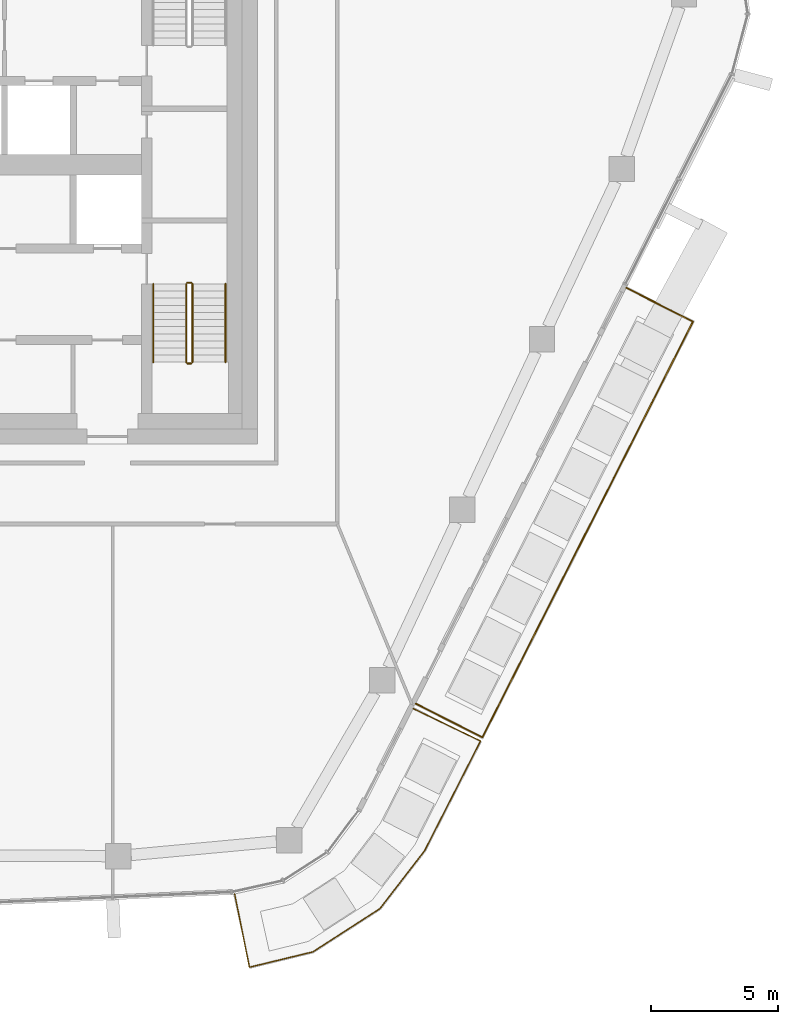
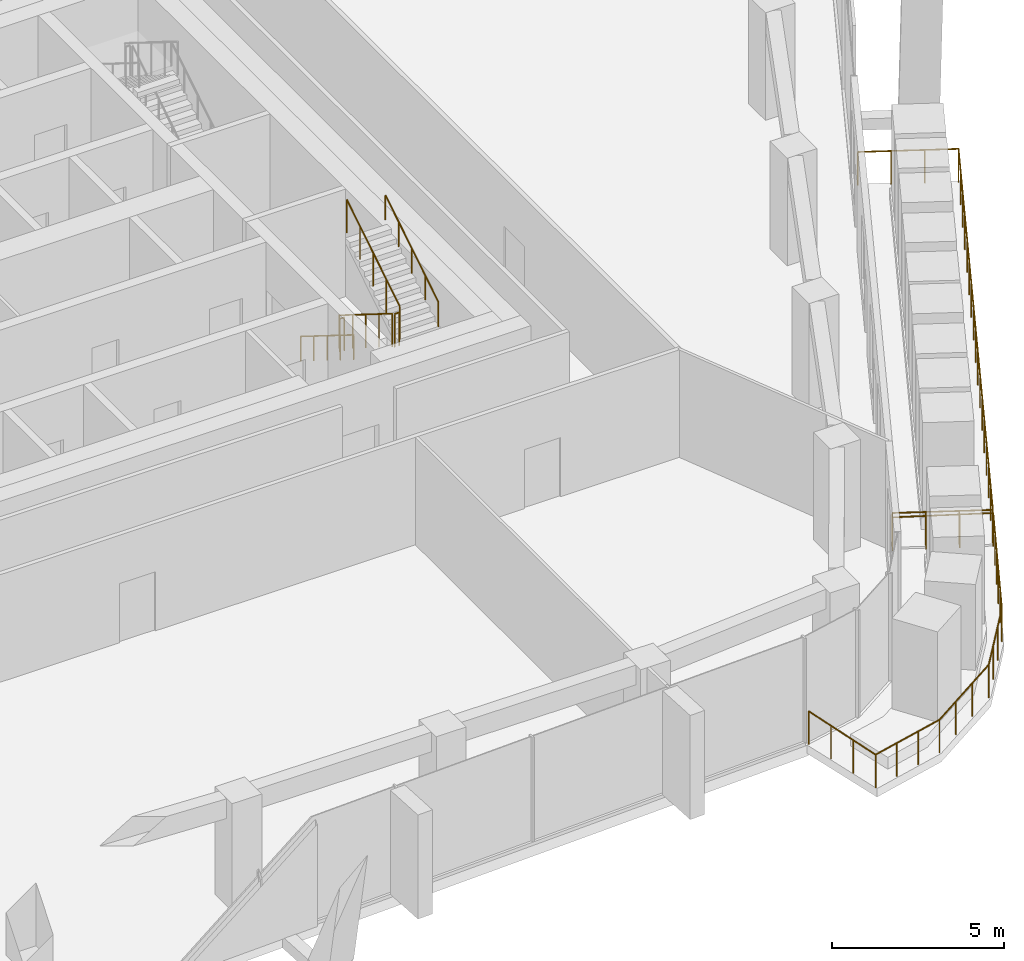
# One storey, part 19 of 23: 8 railings.
"""IFC4 building model written with IfcOpenShell, lengths in metres."""

from ifc_helpers import new_model, si_unit, direction, frame, origin, origin_2d, place, context, subcontext, project, spatial, circle, extrude, material, type_object, element, save


model = new_model("IFC4")

# Units and contexts
model_context = context("Model", 3, precision=1e-05, world=origin(), true_north=direction((0.0, 1.0)))
body_context = subcontext(model_context, "Body", "Model", "MODEL_VIEW")
ifc_project = project(units=[si_unit("LENGTHUNIT", "METRE"), si_unit("AREAUNIT", "SQUARE_METRE"), si_unit("VOLUMEUNIT", "CUBIC_METRE"), si_unit("PLANEANGLEUNIT", "RADIAN"), si_unit("MASSUNIT", "GRAM", prefix="KILO")], contexts=[model_context])

# Site, building, storey
site_placement = place(None, origin())
site = spatial("IfcSite", under=ifc_project, at=site_placement, CompositionType="ELEMENT")
building_placement = place(site_placement, origin())
building = spatial("IfcBuilding", under=site, at=building_placement, Name="Dongbaek Canopy Tower", CompositionType="ELEMENT")
storey_placement = place(building_placement, frame((0.0, 0.0, 327.800048828125)))
storey = spatial("IfcBuildingStorey", under=building, at=storey_placement, Name="L70", CompositionType="ELEMENT", Elevation=327.800048828125)

# Railings
ifc_material_1 = material(Name="Stainless steel", Category="steel")
railing_type_1 = type_object("IfcRailingType", Name="Balcony balustrade 1200", PredefinedType="BALUSTRADE", material=ifc_material_1)
railing_1_placement = place(storey_placement, frame((20.2412109375, -21.222900390625, 0.0)))
element("IfcRailing", 1, at=railing_1_placement, inside=storey, type_object=railing_type_1, Name="Balcony guard L70 4", PredefinedType="BALUSTRADE", context=body_context, shape_type="SweptSolid", body=[
    extrude(circle(Radius=0.02392578125, at=origin_2d()), frame((0.0, 0.0, 1.17578125), z_axis=(0.892056309914, -0.451924263503, 0.0), x_axis=(0.451924263503, 0.892056309914, 0.0)), (0.0, 0.0, 1.0), 2.93994140625),
    extrude(circle(Radius=0.02392578125, at=origin_2d()), frame((2.62255859375, -1.32861328125, 1.17578125), z_axis=(0.451975662434, 0.892030268863, 0.0), x_axis=(-0.892030268863, 0.451975662434, 0.0)), (0.0, 0.0, 1.0), 18.349853515625),
    extrude(circle(Radius=0.02392578125, at=origin_2d()), frame((10.916259765625, 15.0400390625, 1.17578125), z_axis=(-0.892022830295, 0.451990343074, 0.0), x_axis=(-0.451990343074, -0.892022830295, 0.0)), (0.0, 0.0, 1.0), 2.93994140625),
    extrude(circle(Radius=0.02099609375, at=origin_2d()), origin(), (0.0, 0.0, 1.0), 1.15185546875),
    extrude(circle(Radius=0.02099609375, at=origin_2d()), frame((0.874267578125, -0.44287109375, 0.0)), (0.0, 0.0, 1.0), 1.15185546875),
    extrude(circle(Radius=0.02099609375, at=origin_2d()), frame((1.748291015625, -0.8857421875, 0.0)), (0.0, 0.0, 1.0), 1.15185546875),
    extrude(circle(Radius=0.02099609375, at=origin_2d()), frame((2.62255859375, -1.32861328125, 0.0)), (0.0, 0.0, 1.0), 1.15185546875),
    extrude(circle(Radius=0.02099609375, at=origin_2d()), frame((3.140869140625, -0.3056640625, 0.0)), (0.0, 0.0, 1.0), 1.15185546875),
    extrude(circle(Radius=0.02099609375, at=origin_2d()), frame((3.6591796875, 0.717529296875, 0.0)), (0.0, 0.0, 1.0), 1.15185546875),
    extrude(circle(Radius=0.02099609375, at=origin_2d()), frame((4.177734375, 1.740478515625, 0.0)), (0.0, 0.0, 1.0), 1.15185546875),
    extrude(circle(Radius=0.02099609375, at=origin_2d()), frame((4.696044921875, 2.763671875, 0.0)), (0.0, 0.0, 1.0), 1.15185546875),
    extrude(circle(Radius=0.02099609375, at=origin_2d()), frame((5.21435546875, 3.78662109375, 0.0)), (0.0, 0.0, 1.0), 1.15185546875),
    extrude(circle(Radius=0.02099609375, at=origin_2d()), frame((5.732666015625, 4.8095703125, 0.0)), (0.0, 0.0, 1.0), 1.15185546875),
    extrude(circle(Radius=0.02099609375, at=origin_2d()), frame((6.2509765625, 5.832763671875, 0.0)), (0.0, 0.0, 1.0), 1.15185546875),
    extrude(circle(Radius=0.02099609375, at=origin_2d()), frame((6.76953125, 6.855712890625, 0.0)), (0.0, 0.0, 1.0), 1.15185546875),
    extrude(circle(Radius=0.02099609375, at=origin_2d()), frame((7.287841796875, 7.878662109375, 0.0)), (0.0, 0.0, 1.0), 1.15185546875),
    extrude(circle(Radius=0.02099609375, at=origin_2d()), frame((7.80615234375, 8.90185546875, 0.0)), (0.0, 0.0, 1.0), 1.15185546875),
    extrude(circle(Radius=0.02099609375, at=origin_2d()), frame((8.324462890625, 9.9248046875, 0.0)), (0.0, 0.0, 1.0), 1.15185546875),
    extrude(circle(Radius=0.02099609375, at=origin_2d()), frame((8.8427734375, 10.94775390625, 0.0)), (0.0, 0.0, 1.0), 1.15185546875),
    extrude(circle(Radius=0.02099609375, at=origin_2d()), frame((9.361083984375, 11.970947265625, 0.0)), (0.0, 0.0, 1.0), 1.15185546875),
    extrude(circle(Radius=0.02099609375, at=origin_2d()), frame((9.879638671875, 12.993896484375, 0.0)), (0.0, 0.0, 1.0), 1.15185546875),
    extrude(circle(Radius=0.02099609375, at=origin_2d()), frame((10.39794921875, 14.01708984375, 0.0)), (0.0, 0.0, 1.0), 1.15185546875),
    extrude(circle(Radius=0.02099609375, at=origin_2d()), frame((10.916259765625, 15.0400390625, 0.0)), (0.0, 0.0, 1.0), 1.15185546875),
    extrude(circle(Radius=0.02099609375, at=origin_2d()), frame((10.0419921875, 15.48291015625, 0.0)), (0.0, 0.0, 1.0), 1.15185546875),
    extrude(circle(Radius=0.02099609375, at=origin_2d()), frame((9.16796875, 15.926025390625, 0.0)), (0.0, 0.0, 1.0), 1.15185546875),
    extrude(circle(Radius=0.02099609375, at=origin_2d()), frame((8.293701171875, 16.368896484375, 0.0)), (0.0, 0.0, 1.0), 1.15185546875),
])
railing_2_placement = place(storey_placement, frame((13.10986328125, -28.720703125, 0.0)))
element("IfcRailing", 2, at=railing_2_placement, inside=storey, type_object=railing_type_1, Name="Balcony guard L70 7", PredefinedType="BALUSTRADE", context=body_context, shape_type="SweptSolid", body=[
    extrude(circle(Radius=0.02392578125, at=origin_2d()), frame((0.0, 0.0, 1.17578125), z_axis=(0.198175305389, -0.980166592133, 0.0), x_axis=(0.980166592133, 0.198175305389, 0.0)), (0.0, 0.0, 1.0), 2.940673828125),
    extrude(circle(Radius=0.02392578125, at=origin_2d()), frame((0.582763671875, -2.88232421875, 1.17578125), z_axis=(0.971870520155, 0.23551580001, 0.0), x_axis=(-0.23551580001, 0.971870520155, 0.0)), (0.0, 0.0, 1.0), 2.57177734375),
    extrude(circle(Radius=0.02392578125, at=origin_2d()), frame((3.082275390625, -2.276611328125, 1.17578125), z_axis=(0.840464714491, 0.541866278426, 0.0), x_axis=(-0.541866278426, 0.840464714491, 0.0)), (0.0, 0.0, 1.0), 3.13720703125),
    extrude(circle(Radius=0.02392578125, at=origin_2d()), frame((5.718994140625, -0.57666015625, 1.17578125), z_axis=(0.610914271803, 0.791696755398, 0.0), x_axis=(-0.791696755398, 0.610914271803, 0.0)), (0.0, 0.0, 1.0), 2.880615234375),
    extrude(circle(Radius=0.02392578125, at=origin_2d()), frame((7.478759765625, 1.703857421875, 1.17578125), z_axis=(0.454064484216, 0.890968823345, 0.0), x_axis=(-0.890968823345, 0.454064484216, 0.0)), (0.0, 0.0, 1.0), 4.8515625),
    extrude(circle(Radius=0.02392578125, at=origin_2d()), frame((9.681640625, 6.0263671875, 1.17578125), z_axis=(-0.901083385577, 0.433645860395, 0.0), x_axis=(-0.433645860395, -0.901083385577, 0.0)), (0.0, 0.0, 1.0), 2.9404296875),
    extrude(circle(Radius=0.02099609375, at=origin_2d()), origin(), (0.0, 0.0, 1.0), 1.15185546875),
    extrude(circle(Radius=0.02099609375, at=origin_2d()), frame((0.1943359375, -0.960693359375, 0.0)), (0.0, 0.0, 1.0), 1.15185546875),
    extrude(circle(Radius=0.02099609375, at=origin_2d()), frame((0.388427734375, -1.921630859375, 0.0)), (0.0, 0.0, 1.0), 1.15185546875),
    extrude(circle(Radius=0.02099609375, at=origin_2d()), frame((0.582763671875, -2.88232421875, 0.0)), (0.0, 0.0, 1.0), 1.15185546875),
    extrude(circle(Radius=0.02099609375, at=origin_2d()), frame((1.416015625, -2.680419921875, 0.0)), (0.0, 0.0, 1.0), 1.15185546875),
    extrude(circle(Radius=0.02099609375, at=origin_2d()), frame((2.2490234375, -2.478515625, 0.0)), (0.0, 0.0, 1.0), 1.15185546875),
    extrude(circle(Radius=0.02099609375, at=origin_2d()), frame((3.082275390625, -2.276611328125, 0.0)), (0.0, 0.0, 1.0), 1.15185546875),
    extrude(circle(Radius=0.02099609375, at=origin_2d()), frame((3.961181640625, -1.7099609375, 0.0)), (0.0, 0.0, 1.0), 1.15185546875),
    extrude(circle(Radius=0.02099609375, at=origin_2d()), frame((4.840087890625, -1.143310546875, 0.0)), (0.0, 0.0, 1.0), 1.15185546875),
    extrude(circle(Radius=0.02099609375, at=origin_2d()), frame((5.718994140625, -0.57666015625, 0.0)), (0.0, 0.0, 1.0), 1.15185546875),
    extrude(circle(Radius=0.02099609375, at=origin_2d()), frame((6.3056640625, 0.18359375, 0.0)), (0.0, 0.0, 1.0), 1.15185546875),
    extrude(circle(Radius=0.02099609375, at=origin_2d()), frame((6.89208984375, 0.943603515625, 0.0)), (0.0, 0.0, 1.0), 1.15185546875),
    extrude(circle(Radius=0.02099609375, at=origin_2d()), frame((7.478759765625, 1.703857421875, 0.0)), (0.0, 0.0, 1.0), 1.15185546875),
    extrude(circle(Radius=0.02099609375, at=origin_2d()), frame((7.91943359375, 2.568359375, 0.0)), (0.0, 0.0, 1.0), 1.15185546875),
    extrude(circle(Radius=0.02099609375, at=origin_2d()), frame((8.35986328125, 3.432861328125, 0.0)), (0.0, 0.0, 1.0), 1.15185546875),
    extrude(circle(Radius=0.02099609375, at=origin_2d()), frame((8.800537109375, 4.29736328125, 0.0)), (0.0, 0.0, 1.0), 1.15185546875),
    extrude(circle(Radius=0.02099609375, at=origin_2d()), frame((9.240966796875, 5.161865234375, 0.0)), (0.0, 0.0, 1.0), 1.15185546875),
    extrude(circle(Radius=0.02099609375, at=origin_2d()), frame((9.681640625, 6.0263671875, 0.0)), (0.0, 0.0, 1.0), 1.15185546875),
    extrude(circle(Radius=0.02099609375, at=origin_2d()), frame((8.79833984375, 6.451416015625, 0.0)), (0.0, 0.0, 1.0), 1.15185546875),
    extrude(circle(Radius=0.02099609375, at=origin_2d()), frame((7.915283203125, 6.87646484375, 0.0)), (0.0, 0.0, 1.0), 1.15185546875),
    extrude(circle(Radius=0.02099609375, at=origin_2d()), frame((7.031982421875, 7.301513671875, 0.0)), (0.0, 0.0, 1.0), 1.15185546875),
])
ifc_material_2 = material(Name="Stainless steel tube and balusters", Category="steel")
railing_type_2 = type_object("IfcRailingType", Name="Stair guard 1200", PredefinedType="GUARDRAIL", material=ifc_material_2)
railing_3_placement = place(storey_placement, frame((11.199951171875, -4.699951171875, 0.175048828125)))
element("IfcRailing", 3, at=railing_3_placement, inside=storey, type_object=railing_type_2, Name="L70 ST-B stair guard 1", PredefinedType="GUARDRAIL", context=body_context, shape_type="SweptSolid", body=[
    extrude(circle(Radius=0.02392578125, at=origin_2d()), frame((0.0, 0.0, 1.17578125), z_axis=(0.0, -0.848028513186, 0.529950602248), x_axis=(1.0, 0.0, 0.0)), (0.0, 0.0, 1.0), 3.632080078125),
    extrude(circle(Radius=0.02099609375, at=origin_2d()), origin(), (0.0, 0.0, 1.0), 1.15185546875),
    extrude(circle(Radius=0.02099609375, at=origin_2d()), frame((0.0, -0.77001953125, 0.481201171875)), (0.0, 0.0, 1.0), 1.15185546875),
    extrude(circle(Radius=0.02099609375, at=origin_2d()), frame((0.0, -1.5400390625, 0.96240234375)), (0.0, 0.0, 1.0), 1.15185546875),
    extrude(circle(Radius=0.02099609375, at=origin_2d()), frame((0.0, -2.31005859375, 1.443603515625)), (0.0, 0.0, 1.0), 1.15185546875),
    extrude(circle(Radius=0.02099609375, at=origin_2d()), frame((0.0, -3.080078125, 1.9248046875)), (0.0, 0.0, 1.0), 1.15185546875),
])
railing_4_placement = place(storey_placement, frame((11.25, -7.830078125, 2.099853515625)))
element("IfcRailing", 4, at=railing_4_placement, inside=storey, type_object=railing_type_2, Name="L70 ST-B stair guard 2", PredefinedType="GUARDRAIL", context=body_context, shape_type="SweptSolid", body=[
    extrude(circle(Radius=0.02392578125, at=origin_2d()), frame((0.0, 0.0, 1.17578125), z_axis=(1.0, 0.0, 0.0), x_axis=(0.0, 1.0, 0.0)), (0.0, 0.0, 1.0), 0.14990234375),
    extrude(circle(Radius=0.02099609375, at=origin_2d()), origin(), (0.0, 0.0, 1.0), 1.15185546875),
    extrude(circle(Radius=0.02099609375, at=origin_2d()), frame((0.14990234375, 0.0, 0.0)), (0.0, 0.0, 1.0), 1.15185546875),
])
railing_5_placement = place(storey_placement, frame((11.449951171875, -7.780029296875, 2.27490234375)))
element("IfcRailing", 5, at=railing_5_placement, inside=storey, type_object=railing_type_2, Name="L70 ST-B stair guard 3", PredefinedType="GUARDRAIL", context=body_context, shape_type="SweptSolid", body=[
    extrude(circle(Radius=0.02392578125, at=origin_2d()), frame((0.0, 0.0, 1.17578125), z_axis=(0.0, 0.847998304005, 0.529998940003), x_axis=(-1.0, 0.0, 0.0)), (0.0, 0.0, 1.0), 3.632080078125),
    extrude(circle(Radius=0.02099609375, at=origin_2d()), origin(), (0.0, 0.0, 1.0), 1.15185546875),
    extrude(circle(Radius=0.02099609375, at=origin_2d()), frame((0.0, 0.77001953125, 0.481201171875)), (0.0, 0.0, 1.0), 1.15185546875),
    extrude(circle(Radius=0.02099609375, at=origin_2d()), frame((0.0, 1.5400390625, 0.96240234375)), (0.0, 0.0, 1.0), 1.15185546875),
    extrude(circle(Radius=0.02099609375, at=origin_2d()), frame((0.0, 2.31005859375, 1.44384765625)), (0.0, 0.0, 1.0), 1.15185546875),
    extrude(circle(Radius=0.02099609375, at=origin_2d()), frame((0.0, 3.080078125, 1.925048828125)), (0.0, 0.0, 1.0), 1.15185546875),
])
railing_6_placement = place(storey_placement, frame((11.25, -4.64990234375, 0.0)))
element("IfcRailing", 6, at=railing_6_placement, inside=storey, type_object=railing_type_2, Name="L70 ST-B stair guard 4", PredefinedType="GUARDRAIL", context=body_context, shape_type="SweptSolid", body=[
    extrude(circle(Radius=0.02392578125, at=origin_2d()), frame((0.0, 0.0, 1.17578125), z_axis=(1.0, 0.0, 0.0), x_axis=(0.0, 1.0, 0.0)), (0.0, 0.0, 1.0), 0.14990234375),
    extrude(circle(Radius=0.02099609375, at=origin_2d()), origin(), (0.0, 0.0, 1.0), 1.15185546875),
    extrude(circle(Radius=0.02099609375, at=origin_2d()), frame((0.14990234375, 0.0, 0.0)), (0.0, 0.0, 1.0), 1.15185546875),
])
ifc_material_3 = material(Name="Stainless steel tube", Category="steel")
railing_type_3 = type_object("IfcRailingType", Name="Stair handrail 900", PredefinedType="HANDRAIL", material=ifc_material_3)
railing_7_placement = place(storey_placement, frame((9.89990234375, -4.699951171875, 0.175048828125)))
element("IfcRailing", 7, at=railing_7_placement, inside=storey, type_object=railing_type_3, Name="L70 ST-B stair handrail 1", PredefinedType="HANDRAIL", context=body_context, shape_type="SweptSolid", body=[
    extrude(circle(Radius=0.02392578125, at=origin_2d()), frame((0.0, 0.0, 0.8759765625), z_axis=(0.0, -0.848028513186, 0.529950602248), x_axis=(1.0, 0.0, 0.0)), (0.0, 0.0, 1.0), 3.632080078125),
    extrude(circle(Radius=0.02099609375, at=origin_2d()), origin(), (0.0, 0.0, 1.0), 0.851806640625),
    extrude(circle(Radius=0.02099609375, at=origin_2d()), frame((0.0, -0.77001953125, 0.481201171875)), (0.0, 0.0, 1.0), 0.851806640625),
    extrude(circle(Radius=0.02099609375, at=origin_2d()), frame((0.0, -1.5400390625, 0.96240234375)), (0.0, 0.0, 1.0), 0.851806640625),
    extrude(circle(Radius=0.02099609375, at=origin_2d()), frame((0.0, -2.31005859375, 1.443603515625)), (0.0, 0.0, 1.0), 0.851806640625),
    extrude(circle(Radius=0.02099609375, at=origin_2d()), frame((0.0, -3.080078125, 1.9248046875)), (0.0, 0.0, 1.0), 0.851806640625),
])
railing_8_placement = place(storey_placement, frame((12.75, -7.780029296875, 2.27490234375)))
element("IfcRailing", 8, at=railing_8_placement, inside=storey, type_object=railing_type_3, Name="L70 ST-B stair handrail 2", PredefinedType="HANDRAIL", context=body_context, shape_type="SweptSolid", body=[
    extrude(circle(Radius=0.02392578125, at=origin_2d()), frame((0.0, 0.0, 0.8759765625), z_axis=(0.0, 0.847998304005, 0.529998940003), x_axis=(-1.0, 0.0, 0.0)), (0.0, 0.0, 1.0), 3.632080078125),
    extrude(circle(Radius=0.02099609375, at=origin_2d()), origin(), (0.0, 0.0, 1.0), 0.851806640625),
    extrude(circle(Radius=0.02099609375, at=origin_2d()), frame((0.0, 0.77001953125, 0.481201171875)), (0.0, 0.0, 1.0), 0.851806640625),
    extrude(circle(Radius=0.02099609375, at=origin_2d()), frame((0.0, 1.5400390625, 0.96240234375)), (0.0, 0.0, 1.0), 0.851806640625),
    extrude(circle(Radius=0.02099609375, at=origin_2d()), frame((0.0, 2.31005859375, 1.44384765625)), (0.0, 0.0, 1.0), 0.851806640625),
    extrude(circle(Radius=0.02099609375, at=origin_2d()), frame((0.0, 3.080078125, 1.925048828125)), (0.0, 0.0, 1.0), 0.851806640625),
])

save(model, "model.ifc")
